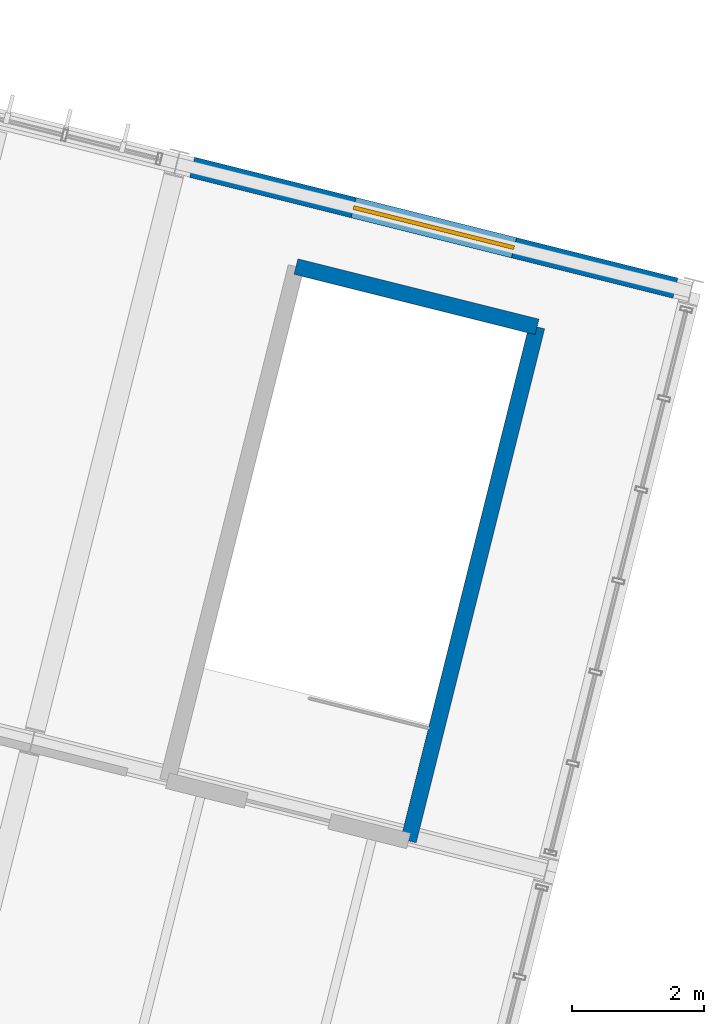
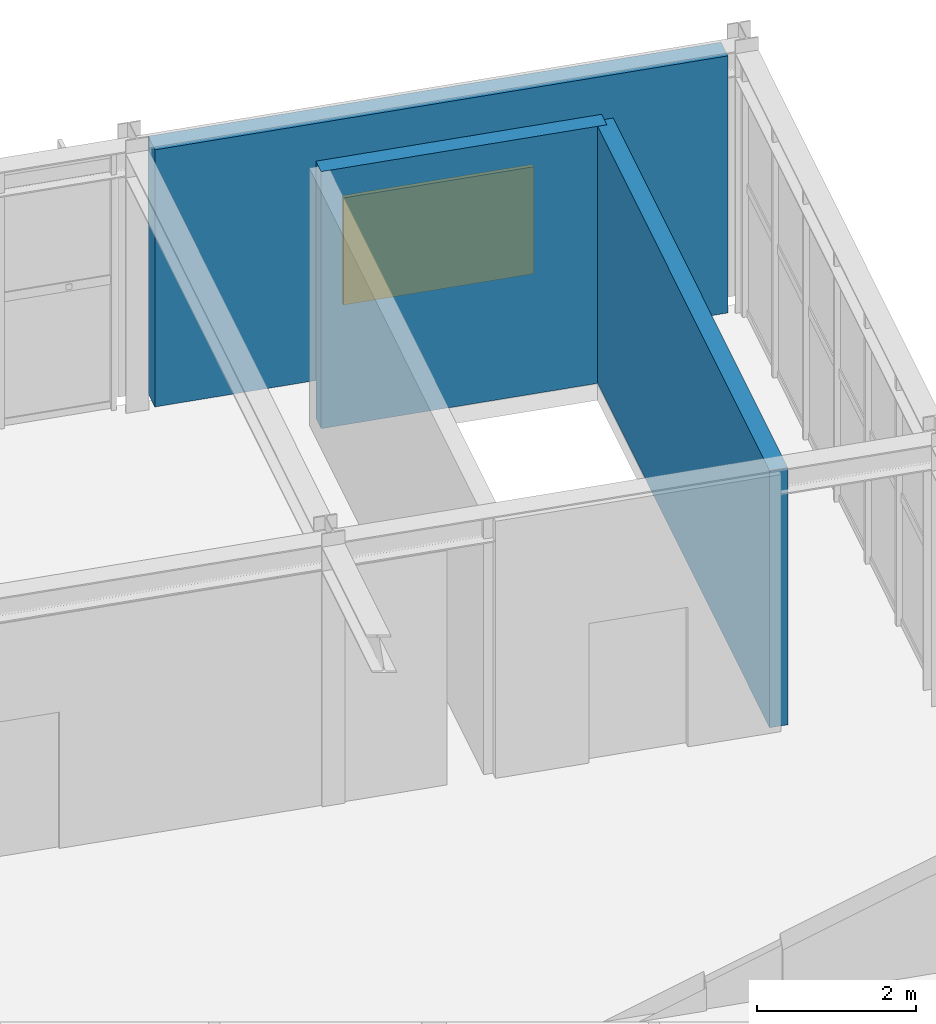
# One storey, part 25 of 30: 3 walls, 1 window, 1 opening.
"""IFC4 building model written with IfcOpenShell, lengths in metres."""

from ifc_helpers import new_model, si_unit, derived_unit, direction, frame, frame_2d, origin, place, context, subcontext, project, spatial, rectangle, extrude, material, layer, layer_set, type_object, element, fill, save


model = new_model("IFC4")

# Units and contexts
model_context = context("Model", 3, precision=1e-05, world=origin(), true_north=direction((0.0, 1.0)))
body_context = subcontext(model_context, "Body", "Model", "MODEL_VIEW")
ifc_project = project(units=[si_unit("LENGTHUNIT", "METRE"), si_unit("AREAUNIT", "SQUARE_METRE"), si_unit("VOLUMEUNIT", "CUBIC_METRE"), si_unit("PLANEANGLEUNIT", "RADIAN"), si_unit("MASSUNIT", "GRAM", prefix="KILO"), si_unit("THERMODYNAMICTEMPERATUREUNIT", "KELVIN"), si_unit("TIMEUNIT", "SECOND"), derived_unit("THERMALTRANSMITTANCEUNIT", [(si_unit("MASSUNIT", "GRAM", prefix="KILO"), 1), (si_unit("THERMODYNAMICTEMPERATUREUNIT", "KELVIN"), -1), (si_unit("TIMEUNIT", "SECOND"), -3)])], contexts=[model_context])

# Site, building, storey
site_placement = place(None, origin())
site = spatial("IfcSite", under=ifc_project, at=site_placement, CompositionType="ELEMENT")
building_placement = place(site_placement, origin())
building = spatial("IfcBuilding", under=site, at=building_placement, Name="Cambertide Market Hall", CompositionType="ELEMENT")
storey_placement = place(building_placement, frame((0.0, 0.0, 14.10009765625)))
storey = spatial("IfcBuildingStorey", under=building, at=storey_placement, Name="L04", CompositionType="ELEMENT", Elevation=14.10009765625)

# Wall, opening, window
ifc_material_1 = material(Name="Concrete B35", Category="concrete")
ifc_layer_1 = layer(ifc_material_1, 0.31494140625, Name="Auditorium Crown Shear Wall 315")
ifc_layer_set_1 = layer_set([ifc_layer_1], Name="Concrete B35")
wall_type_1 = type_object("IfcWallType", Name="Auditorium Crown Shear Wall 315", PredefinedType="SHEAR", material=ifc_layer_set_1)
wall_1_placement = place(storey_placement, frame((169.109375, 112.5537109375, 0.0), z_axis=(0.0, 0.0, 1.0), x_axis=(0.970138680536, -0.242550902961, 0.0)))
wall_1 = element("IfcWall", 1, at=wall_1_placement, inside=storey, type_object=wall_type_1, Name="Level 4 Exterior Wall EW-L04-V4N-8", PredefinedType="SHEAR", context=body_context, shape_type="SweptSolid", body=[
    extrude(rectangle(XDim=7.52001953125, YDim=0.31494140625, at=frame_2d((3.760009765625, 0.0))), origin(), (0.0, 0.0, 1.0), 3.9599609375),
])
opening_placement = place(wall_1_placement, frame((2.510009765625, 0.0, 1.0)))
opening = element("IfcOpeningElement", 2, at=opening_placement, cuts=wall_1, Name="Opening WN-09", PredefinedType="OPENING", context=body_context, shape_type="SweptSolid", body=[
    extrude(rectangle(XDim=2.5, YDim=1.64990234375, at=frame_2d((1.25, 0.824951171875))), frame((0.0, 0.16748046875, 0.0), z_axis=(0.0, -1.0, 0.0), x_axis=(1.0, 0.0, 0.0)), (0.0, 0.0, 1.0), 0.3349609375),
])
ifc_material_2 = material(Name="Low-E Laminated Insulated Glass", Category="glass")
window_type = type_object("IfcWindowType", Name="Market Admin Office Window 2500x1650", PartitioningType="SINGLE_PANEL", PredefinedType="WINDOW", material=ifc_material_2)
window_placement = place(opening_placement, origin())
window = element("IfcWindow", 3, at=window_placement, inside=storey, type_object=window_type, Name="Level 4 Window EW-L04-V4N-8-WN", OverallHeight=1.64990234375, OverallWidth=2.5, PartitioningType="SINGLE_PANEL", PredefinedType="WINDOW", context=body_context, shape_type="SweptSolid", body=[
    extrude(rectangle(XDim=2.5, YDim=1.64990234375, at=frame_2d((1.25, 0.824951171875))), frame((0.0, 0.030029296875, 0.0), z_axis=(0.0, -1.0, 0.0), x_axis=(1.0, 0.0, 0.0)), (0.0, 0.0, 1.0), 0.06005859375),
])
fill(opening, window)

# Walls
ifc_material_3 = material(Name="Concrete B35", Category="concrete")
ifc_layer_2 = layer(ifc_material_3, 0.239990234375, Name="Stair & Lift Core Shaft Wall 240")
ifc_layer_set_2 = layer_set([ifc_layer_2], Name="Concrete B35")
wall_type_2 = type_object("IfcWallType", Name="Stair & Lift Core Shaft Wall 240", PredefinedType="SOLIDWALL", material=ifc_layer_set_2)
wall_2_placement = place(storey_placement, frame((174.315185546875, 110.14404296875, 0.0), z_axis=(0.0, 0.0, 1.0), x_axis=(-0.242521263911, -0.970146090314, 0.0)))
element("IfcWall", 4, at=wall_2_placement, inside=storey, type_object=wall_type_2, Name="Level 4 Interior Wall SHW-ST-08B-L04-L", PredefinedType="SOLIDWALL", context=body_context, shape_type="SweptSolid", body=[
    extrude(rectangle(XDim=8.0, YDim=0.239990234375, at=frame_2d((4.0, 0.0))), origin(), (0.0, 0.0, 1.0), 3.9599609375),
])
wall_3_placement = place(storey_placement, frame((170.67724609375, 111.0537109375, 0.0), z_axis=(0.0, 0.0, 1.0), x_axis=(0.970131009923, -0.242581581301, 0.0)))
element("IfcWall", 5, at=wall_3_placement, inside=storey, type_object=wall_type_2, Name="Level 4 Interior Wall SHW-ST-08B-L04-FAR", PredefinedType="SOLIDWALL", context=body_context, shape_type="SweptSolid", body=[
    extrude(rectangle(XDim=3.75, YDim=0.239990234375, at=frame_2d((1.875, 0.0))), origin(), (0.0, 0.0, 1.0), 3.9599609375),
])

save(model, "model.ifc")
